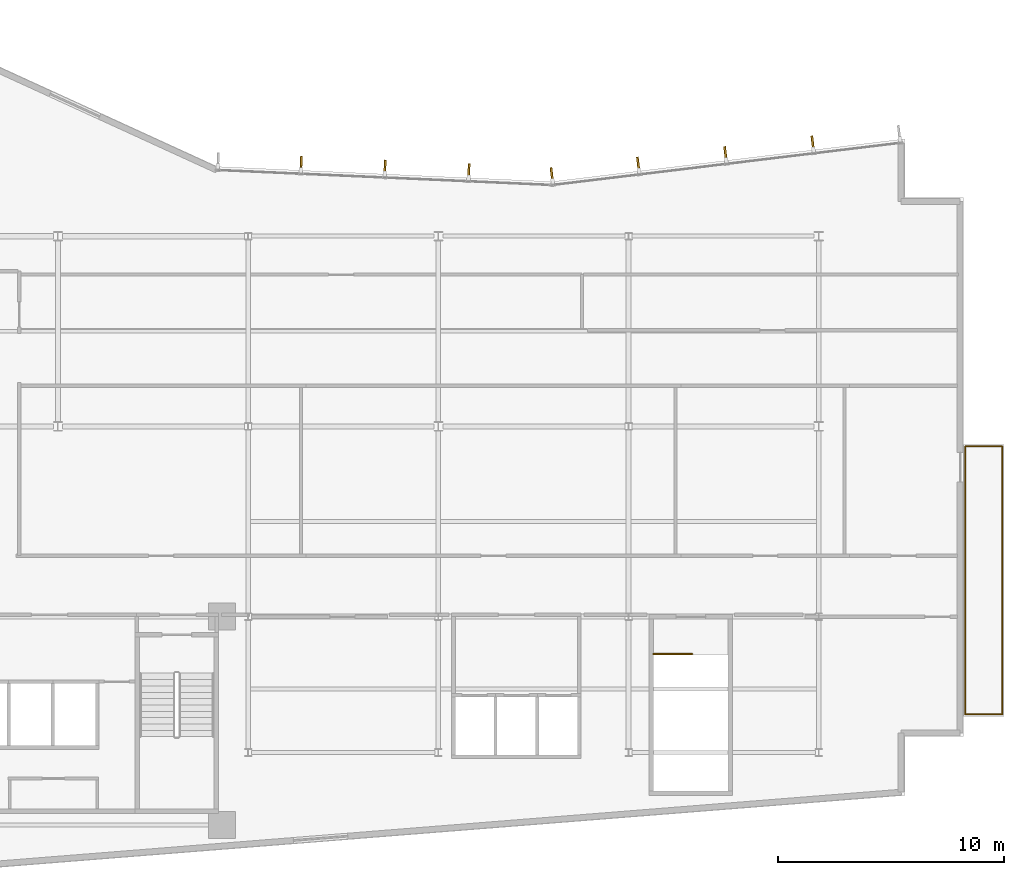
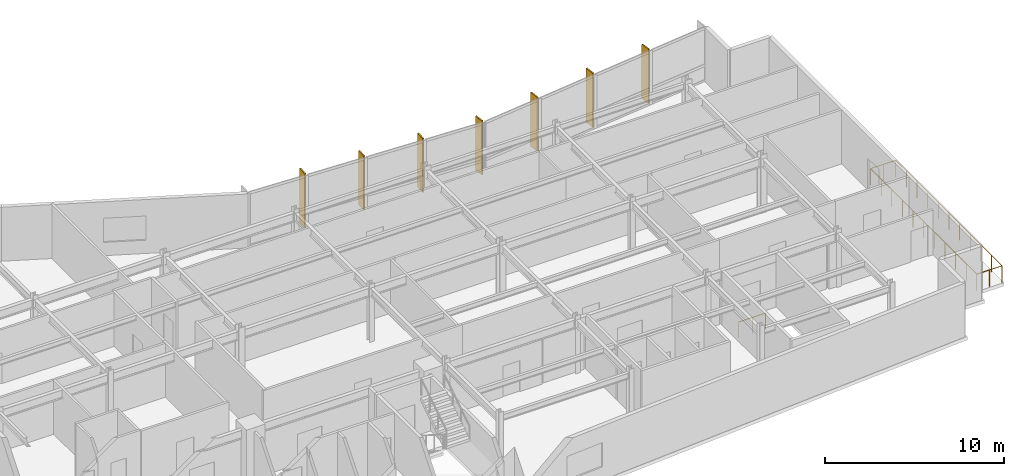
# One storey, part 14 of 16: 7 shading devices, 5 railings.
"""IFC4 building model written with IfcOpenShell, lengths in metres."""

from ifc_helpers import new_model, si_unit, direction, frame, origin, origin_2d, place, context, subcontext, project, spatial, rectangle, circle, extrude, material, layer, layer_set, type_object, element, save


model = new_model("IFC4")

# Units and contexts
model_context = context("Model", 3, precision=1e-05, world=origin(), true_north=direction((0.0, 1.0)))
body_context = subcontext(model_context, "Body", "Model", "MODEL_VIEW")
ifc_project = project(units=[si_unit("LENGTHUNIT", "METRE"), si_unit("AREAUNIT", "SQUARE_METRE"), si_unit("VOLUMEUNIT", "CUBIC_METRE"), si_unit("PLANEANGLEUNIT", "RADIAN"), si_unit("MASSUNIT", "GRAM", prefix="KILO")], contexts=[model_context])

# Site, building, storey
site_placement = place(None, origin())
site = spatial("IfcSite", under=ifc_project, at=site_placement, CompositionType="ELEMENT")
building_placement = place(site_placement, origin())
building = spatial("IfcBuilding", under=site, at=building_placement, Name="Varnakote Quay Hospital", CompositionType="ELEMENT")
storey_placement = place(building_placement, frame((0.0, 0.0, 170.5)))
storey = spatial("IfcBuildingStorey", under=building, at=storey_placement, Name="L42", CompositionType="ELEMENT", Elevation=170.5)

# Railings
ifc_material_1 = material(Name="Anodised aluminium 6063-T6 Bronze", Category="aluminium")
railing_type_1 = type_object("IfcRailingType", Name="RLG-EXT-GUARD-1150", PredefinedType="GUARDRAIL", material=ifc_material_1)
railing_1_placement = place(storey_placement, frame((56.8759765625, 7.679931640625, 0.0)))
element("IfcRailing", 1, at=railing_1_placement, inside=storey, type_object=railing_type_1, Name="L42 Zigzag Prow Healing Terrace Safety Guard", PredefinedType="GUARDRAIL", context=body_context, shape_type="SweptSolid", body=[
    extrude(circle(Radius=0.02392578125, at=origin_2d()), frame((0.0, 0.0, 1.1259765625), z_axis=(0.0, 1.0, 0.0), x_axis=(-1.0, 0.0, 0.0)), (0.0, 0.0, 1.0), 11.840087890625),
    extrude(circle(Radius=0.02099609375, at=origin_2d()), origin(), (0.0, 0.0, 1.0), 1.101806640625),
    extrude(circle(Radius=0.02099609375, at=origin_2d()), frame((0.0, 1.18408203125, 0.0)), (0.0, 0.0, 1.0), 1.101806640625),
    extrude(circle(Radius=0.02099609375, at=origin_2d()), frame((0.0, 2.367919921875, 0.0)), (0.0, 0.0, 1.0), 1.101806640625),
    extrude(circle(Radius=0.02099609375, at=origin_2d()), frame((0.0, 3.552001953125, 0.0)), (0.0, 0.0, 1.0), 1.101806640625),
    extrude(circle(Radius=0.02099609375, at=origin_2d()), frame((0.0, 4.736083984375, 0.0)), (0.0, 0.0, 1.0), 1.101806640625),
    extrude(circle(Radius=0.02099609375, at=origin_2d()), frame((0.0, 5.919921875, 0.0)), (0.0, 0.0, 1.0), 1.101806640625),
    extrude(circle(Radius=0.02099609375, at=origin_2d()), frame((0.0, 7.10400390625, 0.0)), (0.0, 0.0, 1.0), 1.101806640625),
    extrude(circle(Radius=0.02099609375, at=origin_2d()), frame((0.0, 8.2880859375, 0.0)), (0.0, 0.0, 1.0), 1.101806640625),
    extrude(circle(Radius=0.02099609375, at=origin_2d()), frame((0.0, 9.47216796875, 0.0)), (0.0, 0.0, 1.0), 1.101806640625),
    extrude(circle(Radius=0.02099609375, at=origin_2d()), frame((0.0, 10.656005859375, 0.0)), (0.0, 0.0, 1.0), 1.101806640625),
    extrude(circle(Radius=0.02099609375, at=origin_2d()), frame((0.0, 11.840087890625, 0.0)), (0.0, 0.0, 1.0), 1.101806640625),
])
railing_2_placement = place(storey_placement, frame((56.8759765625, 19.52001953125, 0.0)))
element("IfcRailing", 2, at=railing_2_placement, inside=storey, type_object=railing_type_1, Name="L42 Zigzag Prow Healing Terrace Safety Guard", PredefinedType="GUARDRAIL", context=body_context, shape_type="SweptSolid", body=[
    extrude(circle(Radius=0.02392578125, at=origin_2d()), frame((0.0, 0.0, 1.1259765625), z_axis=(1.0, 0.0, 0.0), x_axis=(0.0, 1.0, 0.0)), (0.0, 0.0, 1.0), 1.6240234375),
    extrude(circle(Radius=0.02099609375, at=origin_2d()), origin(), (0.0, 0.0, 1.0), 1.101806640625),
    extrude(circle(Radius=0.02099609375, at=origin_2d()), frame((0.81201171875, 0.0, 0.0)), (0.0, 0.0, 1.0), 1.101806640625),
    extrude(circle(Radius=0.02099609375, at=origin_2d()), frame((1.6240234375, 0.0, 0.0)), (0.0, 0.0, 1.0), 1.101806640625),
])
railing_3_placement = place(storey_placement, frame((58.5, 19.52001953125, 0.0)))
element("IfcRailing", 3, at=railing_3_placement, inside=storey, type_object=railing_type_1, Name="L42 Zigzag Prow Healing Terrace Safety Guard", PredefinedType="GUARDRAIL", context=body_context, shape_type="SweptSolid", body=[
    extrude(circle(Radius=0.02392578125, at=origin_2d()), frame((0.0, 0.0, 1.1259765625), z_axis=(0.0, -1.0, 0.0), x_axis=(1.0, 0.0, 0.0)), (0.0, 0.0, 1.0), 11.840087890625),
    extrude(circle(Radius=0.02099609375, at=origin_2d()), origin(), (0.0, 0.0, 1.0), 1.101806640625),
    extrude(circle(Radius=0.02099609375, at=origin_2d()), frame((0.0, -1.18408203125, 0.0)), (0.0, 0.0, 1.0), 1.101806640625),
    extrude(circle(Radius=0.02099609375, at=origin_2d()), frame((0.0, -2.367919921875, 0.0)), (0.0, 0.0, 1.0), 1.101806640625),
    extrude(circle(Radius=0.02099609375, at=origin_2d()), frame((0.0, -3.552001953125, 0.0)), (0.0, 0.0, 1.0), 1.101806640625),
    extrude(circle(Radius=0.02099609375, at=origin_2d()), frame((0.0, -4.736083984375, 0.0)), (0.0, 0.0, 1.0), 1.101806640625),
    extrude(circle(Radius=0.02099609375, at=origin_2d()), frame((0.0, -5.919921875, 0.0)), (0.0, 0.0, 1.0), 1.101806640625),
    extrude(circle(Radius=0.02099609375, at=origin_2d()), frame((0.0, -7.10400390625, 0.0)), (0.0, 0.0, 1.0), 1.101806640625),
    extrude(circle(Radius=0.02099609375, at=origin_2d()), frame((0.0, -8.2880859375, 0.0)), (0.0, 0.0, 1.0), 1.101806640625),
    extrude(circle(Radius=0.02099609375, at=origin_2d()), frame((0.0, -9.47216796875, 0.0)), (0.0, 0.0, 1.0), 1.101806640625),
    extrude(circle(Radius=0.02099609375, at=origin_2d()), frame((0.0, -10.656005859375, 0.0)), (0.0, 0.0, 1.0), 1.101806640625),
    extrude(circle(Radius=0.02099609375, at=origin_2d()), frame((0.0, -11.840087890625, 0.0)), (0.0, 0.0, 1.0), 1.101806640625),
])
railing_4_placement = place(storey_placement, frame((58.5, 7.679931640625, 0.0)))
element("IfcRailing", 4, at=railing_4_placement, inside=storey, type_object=railing_type_1, Name="L42 Zigzag Prow Healing Terrace Safety Guard", PredefinedType="GUARDRAIL", context=body_context, shape_type="SweptSolid", body=[
    extrude(circle(Radius=0.02392578125, at=origin_2d()), frame((0.0, 0.0, 1.1259765625), z_axis=(-1.0, 0.0, 0.0), x_axis=(0.0, -1.0, 0.0)), (0.0, 0.0, 1.0), 1.6240234375),
    extrude(circle(Radius=0.02099609375, at=origin_2d()), origin(), (0.0, 0.0, 1.0), 1.101806640625),
    extrude(circle(Radius=0.02099609375, at=origin_2d()), frame((-0.81201171875, 0.0, 0.0)), (0.0, 0.0, 1.0), 1.101806640625),
    extrude(circle(Radius=0.02099609375, at=origin_2d()), frame((-1.6240234375, 0.0, 0.0)), (0.0, 0.0, 1.0), 1.101806640625),
])
ifc_material_2 = material(Name="Brushed stainless steel balustrade", Category="steel")
railing_type_2 = type_object("IfcRailingType", Name="RLG-STAIR-GUARD-1150", PredefinedType="GUARDRAIL", material=ifc_material_2)
railing_5_placement = place(storey_placement, frame((43.10009765625, 10.35009765625, 0.0)))
element("IfcRailing", 5, at=railing_5_placement, inside=storey, type_object=railing_type_2, Name="L42 ST-03 top well guard 1", PredefinedType="GUARDRAIL", context=body_context, shape_type="SweptSolid", body=[
    extrude(circle(Radius=0.02392578125, at=origin_2d()), frame((0.0, 0.0, 1.076171875), z_axis=(1.0, 0.0, 0.0), x_axis=(0.0, 1.0, 0.0)), (0.0, 0.0, 1.0), 1.719970703125),
    extrude(circle(Radius=0.02099609375, at=origin_2d()), origin(), (0.0, 0.0, 1.0), 1.052001953125),
    extrude(circle(Radius=0.02099609375, at=origin_2d()), frame((0.85986328125, 0.0, 0.0)), (0.0, 0.0, 1.0), 1.052001953125),
    extrude(circle(Radius=0.02099609375, at=origin_2d()), frame((1.719970703125, 0.0, 0.0)), (0.0, 0.0, 1.0), 1.052001953125),
])

# Shading devices
ifc_material_3 = material(Name="Anodised aluminium 6063-T6 Bronze", Category="aluminium")
ifc_layer = layer(ifc_material_3, 0.0849609375)
ifc_layer_set = layer_set([ifc_layer], Name="Anodised aluminium 6063-T6 Bronze")
shading_device_type = type_object("IfcShadingDeviceType", Name="SHD-BRONZE-FIN-620", PredefinedType="USERDEFINED", material=ifc_layer_set)
for number, where, z_axis, x_axis, name in (
    (6, (50.131103515625, 32.9189453125, 0.0), (0.0, 0.0, 1.0), (0.120310105847, -0.992736358975, 0.0), "L42 Anodised Bronze Vertical Shading FIN"),
    (7, (46.278564453125, 32.4521484375, 0.0), (0.0, 0.0, 1.0), (0.120310105847, -0.992736358975, 0.0), "L42 Anodised Bronze Vertical Shading FIN"),
    (8, (42.426025390625, 31.985107421875, 0.0), (0.0, 0.0, 1.0), (0.120310105847, -0.992736358975, 0.0), "L42 Anodised Bronze Vertical Shading FIN"),
    (9, (38.61083984375, 31.522705078125, 0.0), (0.0, 0.0, 1.0), (0.120310105847, -0.992736358975, 0.0), "L42 Anodised Bronze Vertical Shading FIN"),
    (10, (34.947998046875, 31.68701171875, 0.0), (0.0, 0.0, 1.0), (-0.044839922168, -0.998994184858, 0.0), "L42 Anodised Bronze Vertical Shading FIN"),
    (11, (31.244873046875, 31.85302734375, 0.0), (0.0, 0.0, 1.0), (-0.044839922168, -0.998994184858, 0.0), "L42 Anodised Bronze Vertical Shading FIN"),
    (12, (27.541748046875, 32.01904296875, 0.0), (0.0, 0.0, 1.0), (-0.044839922168, -0.998994184858, 0.0), "L42 Anodised Bronze Vertical Shading FIN"),
):
    element("IfcShadingDevice", number, at=place(storey_placement, frame(where, z_axis=z_axis, x_axis=x_axis)), inside=storey, type_object=shading_device_type, Name=name, ObjectType="FIN", PredefinedType="USERDEFINED", context=body_context, shape_type="SweptSolid", body=[
        extrude(rectangle(XDim=0.6201171875, YDim=0.0849609375, at=origin_2d()), origin(), (0.0, 0.0, 1.0), 3.669921875),
    ])

save(model, "model.ifc")
